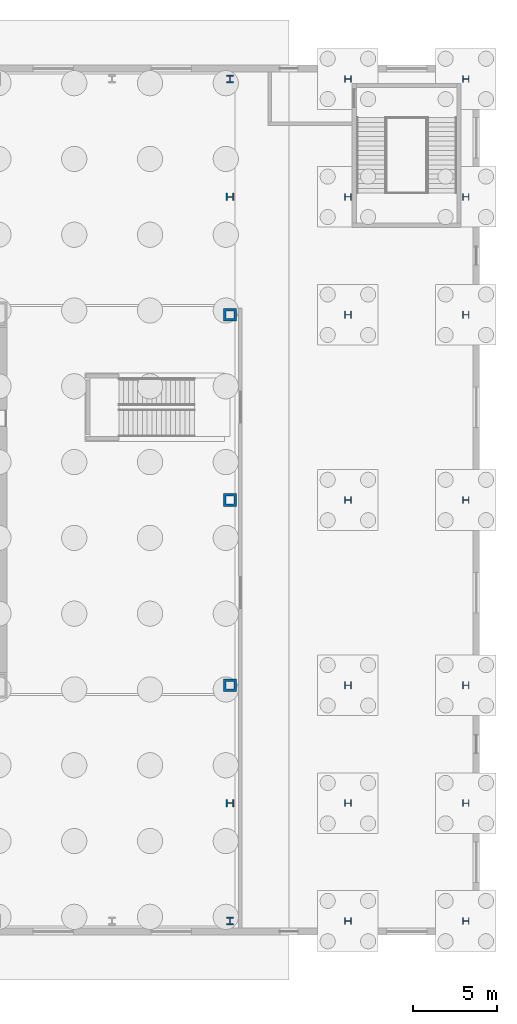
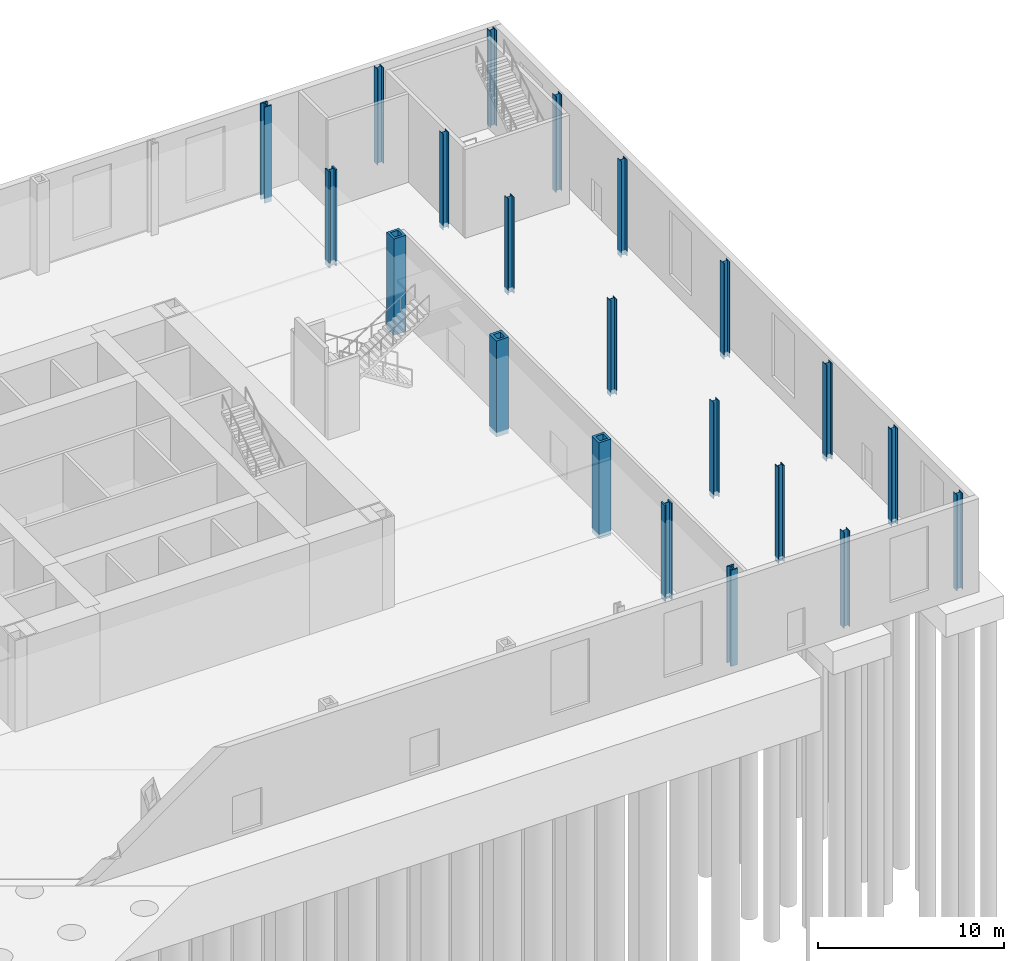
# One storey, part 6 of 16: 21 columns.
"""IFC4 building model written with IfcOpenShell, lengths in metres."""

from ifc_helpers import new_model, si_unit, direction, frame, origin, origin_2d, place, context, subcontext, project, spatial, hollow_rectangle, i_section, extrude, material, material_profile, profile_set, type_object, element, save


model = new_model("IFC4")

# Units and contexts
model_context = context("Model", 3, precision=1e-05, world=origin(), true_north=direction((0.0, 1.0)))
body_context = subcontext(model_context, "Body", "Model", "MODEL_VIEW")
ifc_project = project(units=[si_unit("LENGTHUNIT", "METRE"), si_unit("AREAUNIT", "SQUARE_METRE"), si_unit("VOLUMEUNIT", "CUBIC_METRE"), si_unit("PLANEANGLEUNIT", "RADIAN"), si_unit("MASSUNIT", "GRAM", prefix="KILO")], contexts=[model_context])

# Site, building, storey
site_placement = place(None, origin())
site = spatial("IfcSite", under=ifc_project, at=site_placement, CompositionType="ELEMENT")
building_placement = place(site_placement, origin())
building = spatial("IfcBuilding", under=site, at=building_placement, Name="Trevanion Tower", CompositionType="ELEMENT")
storey_placement = place(building_placement, origin())
storey = spatial("IfcBuildingStorey", under=building, at=storey_placement, Name="L00", CompositionType="ELEMENT", Elevation=0.0)

# Columns
ifc_material_1 = material(Name="Steel ASTM A588 Grade 50", Category="steel")
ifc_material_profile_1 = material_profile(ifc_material_1, hollow_rectangle(XDim=0.761962890625, YDim=0.761962890625, WallThickness=0.15234375, at=origin_2d()), Name="BOX30X30X6")
ifc_profile_set_1 = profile_set([ifc_material_profile_1], Name="Steel ASTM A588 Grade 50")
column_type_1 = type_object("IfcColumnType", Name="C1 BOX30X30X6", PredefinedType="COLUMN", material=ifc_profile_set_1)
for number, where, z_axis, x_axis, name in (
    (1, (25.0, -11.0, -0.300048828125), (0.0, 0.0, 1.0), (0.0, 1.0, 0.0), "C1 17/F L00"),
    (2, (25.0, 0.0, -0.300048828125), (0.0, 0.0, 1.0), (0.0, 1.0, 0.0), "C1 17/H L00"),
    (3, (25.0, 11.0, -0.300048828125), (0.0, 0.0, 1.0), (0.0, 1.0, 0.0), "C1 17/K L00"),
):
    element("IfcColumn", number, at=place(storey_placement, frame(where, z_axis=z_axis, x_axis=x_axis)), inside=storey, type_object=column_type_1, Name=name, PredefinedType="COLUMN", context=body_context, shape_type="SweptSolid", body=[
        extrude(hollow_rectangle(XDim=0.761962890625, YDim=0.761962890625, WallThickness=0.15234375, at=origin_2d()), origin(), (0.0, 0.0, 1.0), 6.300048828125),
    ])
ifc_material_2 = material(Name="Steel ASTM A913 Grade 65", Category="steel")
ifc_material_profile_2 = material_profile(ifc_material_2, i_section(OverallWidth=0.4267578125, OverallDepth=0.482666015625, WebThickness=0.05126953125, FlangeThickness=0.08154296875, at=origin_2d()), Name="W14X455")
ifc_profile_set_2 = profile_set([ifc_material_profile_2], Name="Steel ASTM A913 Grade 65")
column_type_2 = type_object("IfcColumnType", Name="C2 W14X455", PredefinedType="COLUMN", material=ifc_profile_set_2)
for number, where, z_axis, x_axis, name in (
    (4, (25.0, -25.0, -0.300048828125), (0.0, 0.0, 1.0), (1.0, 0.0, 0.0), "C2 17/A L00"),
    (5, (25.0, -18.0, -0.300048828125), (0.0, 0.0, 1.0), (0.0, 1.0, 0.0), "C2 17/D L00"),
    (6, (25.0, 18.0, -0.300048828125), (0.0, 0.0, 1.0), (0.0, 1.0, 0.0), "C2 17/M L00"),
    (7, (25.0, 25.0, -0.300048828125), (0.0, 0.0, 1.0), (1.0, 0.0, 0.0), "C2 17/Q L00"),
):
    element("IfcColumn", number, at=place(storey_placement, frame(where, z_axis=z_axis, x_axis=x_axis)), inside=storey, type_object=column_type_2, Name=name, PredefinedType="COLUMN", context=body_context, shape_type="SweptSolid", body=[
        extrude(i_section(OverallWidth=0.4267578125, OverallDepth=0.482666015625, WebThickness=0.05126953125, FlangeThickness=0.08154296875, at=origin_2d()), origin(), (0.0, 0.0, 1.0), 6.300048828125),
    ])
ifc_material_3 = material(Name="Steel ASTM A913 Grade 65", Category="steel")
ifc_material_profile_3 = material_profile(ifc_material_3, i_section(OverallWidth=0.393798828125, OverallDepth=0.3759765625, WebThickness=0.017333984375, FlangeThickness=0.027587890625, at=origin_2d()), Name="W14X145")
ifc_profile_set_3 = profile_set([ifc_material_profile_3], Name="Steel ASTM A913 Grade 65")
column_type_3 = type_object("IfcColumnType", Name="C3 W14X145", PredefinedType="COLUMN", material=ifc_profile_set_3)
for number, where, z_axis, x_axis, name in (
    (8, (32.0, -25.0, -0.300048828125), (0.0, 0.0, 1.0), (0.0, 1.0, 0.0), "C3 18/A L00"),
    (9, (32.0, -18.0, -0.300048828125), (0.0, 0.0, 1.0), (0.0, 1.0, 0.0), "C3 18/D L00"),
    (10, (32.0, -11.0, -0.300048828125), (0.0, 0.0, 1.0), (0.0, 1.0, 0.0), "C3 18/F L00"),
    (11, (32.0, 0.0, -0.300048828125), (0.0, 0.0, 1.0), (0.0, 1.0, 0.0), "C3 18/H L00"),
    (12, (32.0, 11.0, -0.300048828125), (0.0, 0.0, 1.0), (0.0, 1.0, 0.0), "C3 18/K L00"),
    (13, (32.0, 18.0, -0.300048828125), (0.0, 0.0, 1.0), (0.0, 1.0, 0.0), "C3 18/M L00"),
    (14, (32.0, 25.0, -0.300048828125), (0.0, 0.0, 1.0), (0.0, 1.0, 0.0), "C3 18/Q L00"),
    (15, (39.0, -25.0, -0.300048828125), (0.0, 0.0, 1.0), (0.0, 1.0, 0.0), "C3 19/A L00"),
    (16, (39.0, -18.0, -0.300048828125), (0.0, 0.0, 1.0), (0.0, 1.0, 0.0), "C3 19/D L00"),
    (17, (39.0, -11.0, -0.300048828125), (0.0, 0.0, 1.0), (0.0, 1.0, 0.0), "C3 19/F L00"),
    (18, (39.0, 0.0, -0.300048828125), (0.0, 0.0, 1.0), (0.0, 1.0, 0.0), "C3 19/H L00"),
    (19, (39.0, 11.0, -0.300048828125), (0.0, 0.0, 1.0), (0.0, 1.0, 0.0), "C3 19/K L00"),
    (20, (39.0, 18.0, -0.300048828125), (0.0, 0.0, 1.0), (0.0, 1.0, 0.0), "C3 19/M L00"),
    (21, (39.0, 25.0, -0.300048828125), (0.0, 0.0, 1.0), (0.0, 1.0, 0.0), "C3 19/Q L00"),
):
    element("IfcColumn", number, at=place(storey_placement, frame(where, z_axis=z_axis, x_axis=x_axis)), inside=storey, type_object=column_type_3, Name=name, PredefinedType="COLUMN", context=body_context, shape_type="SweptSolid", body=[
        extrude(i_section(OverallWidth=0.393798828125, OverallDepth=0.3759765625, WebThickness=0.017333984375, FlangeThickness=0.027587890625, at=origin_2d()), origin(), (0.0, 0.0, 1.0), 6.300048828125),
    ])

save(model, "model.ifc")
